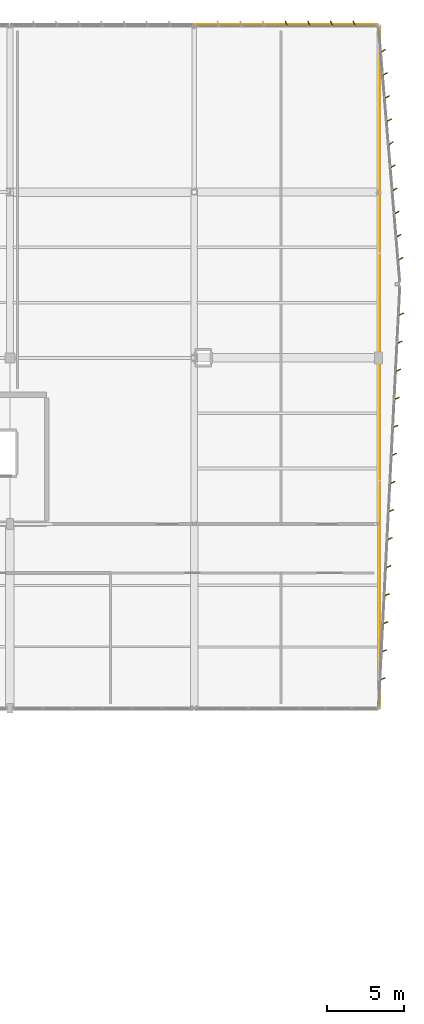
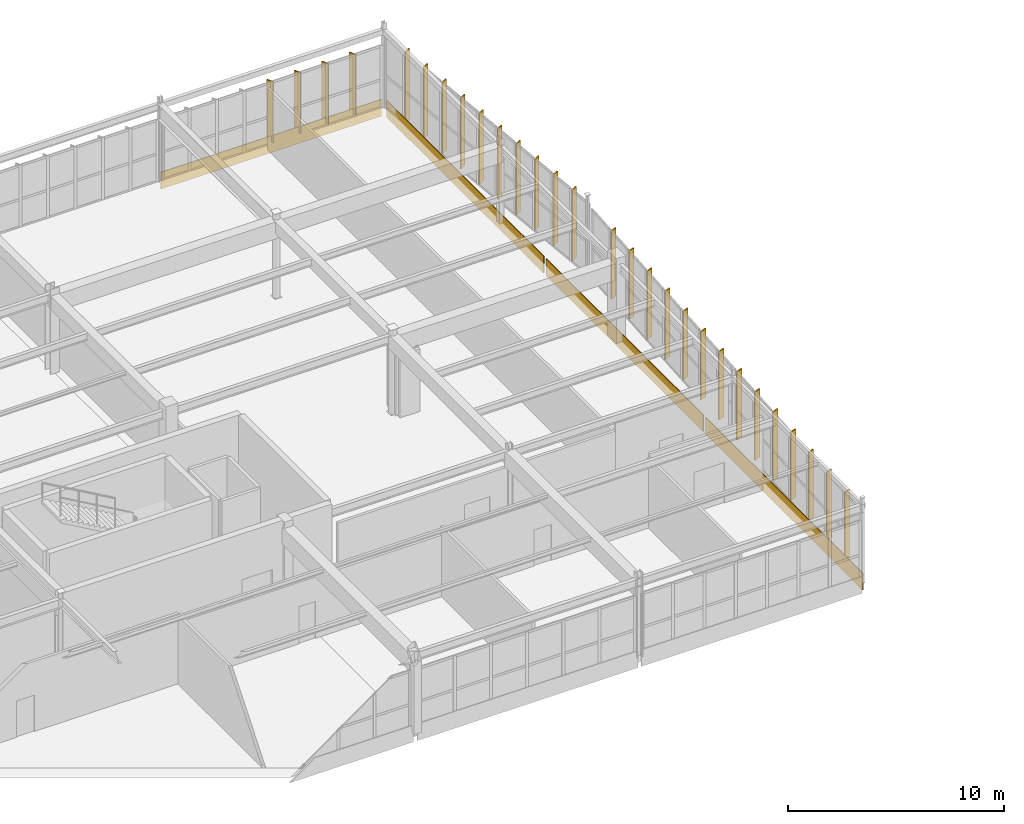
# One storey, part 186 of 186: 28 shading devices, 4 coverings.
"""IFC4 building model written with IfcOpenShell, lengths in metres."""

from ifc_helpers import new_model, si_unit, direction, frame, origin, origin_2d, place, context, subcontext, project, spatial, rectangle, extrude, material, layer, layer_set, type_object, element, save


model = new_model("IFC4")

# Units and contexts
model_context = context("Model", 3, precision=1e-05, world=origin(), true_north=direction((0.0, 1.0)))
body_context = subcontext(model_context, "Body", "Model", "MODEL_VIEW")
ifc_project = project(units=[si_unit("LENGTHUNIT", "METRE"), si_unit("AREAUNIT", "SQUARE_METRE"), si_unit("VOLUMEUNIT", "CUBIC_METRE"), si_unit("PLANEANGLEUNIT", "RADIAN"), si_unit("MASSUNIT", "GRAM", prefix="KILO")], contexts=[model_context])

# Site, building, storey
site_placement = place(None, origin())
site = spatial("IfcSite", under=ifc_project, at=site_placement, CompositionType="ELEMENT")
building_placement = place(site_placement, origin())
building = spatial("IfcBuilding", under=site, at=building_placement, Name="Tarnwether General Hospital", CompositionType="ELEMENT")
storey_placement = place(building_placement, frame((0.0, 0.0, 9.60009765625)))
storey = spatial("IfcBuildingStorey", under=building, at=storey_placement, Name="L02", CompositionType="ELEMENT", Elevation=9.60009765625)

# Coverings
ifc_material_1 = material(Name="Folded zinc-titanium cladding")
ifc_layer_1 = layer(ifc_material_1, 0.0400390625)
ifc_layer_set_1 = layer_set([ifc_layer_1], Name="Folded zinc-titanium cladding")
covering_type = type_object("IfcCoveringType", Name="CV-CLD-ZNC", PredefinedType="CLADDING", material=ifc_layer_set_1)
covering_placement = place(storey_placement, frame((186.0, 126.090087890625, -0.55517578125), z_axis=(0.0, 0.0, 1.0), x_axis=(1.0, 0.0, 0.0)))
element("IfcCovering", 1, at=covering_placement, inside=storey, type_object=covering_type, Name="Deconstructivist Faceted Zinc Spandrel Blade 038", PredefinedType="CLADDING", context=body_context, shape_type="SweptSolid", body=[
    extrude(rectangle(XDim=11.800048828125, YDim=0.0400390625, at=origin_2d()), origin(), (0.0, 0.0, 1.0), 0.949951171875),
])
for number, where, z_axis, x_axis, name in (
    (2, (192.090087890625, 89.0, -0.55517578125), (0.0, 0.0, 1.0), (0.0, 1.0, 0.0), "Deconstructivist East Faceted Zinc Spandrel 042"),
    (3, (192.090087890625, 103.800048828125, -0.55517578125), (0.0, 0.0, 1.0), (0.0, 1.0, 0.0), "Deconstructivist East Faceted Zinc Spandrel 043"),
    (4, (192.090087890625, 118.60009765625, -0.55517578125), (0.0, 0.0, 1.0), (0.0, 1.0, 0.0), "Deconstructivist East Faceted Zinc Spandrel 044"),
):
    element("IfcCovering", number, at=place(storey_placement, frame(where, z_axis=z_axis, x_axis=x_axis)), inside=storey, type_object=covering_type, Name=name, PredefinedType="CLADDING", context=body_context, shape_type="SweptSolid", body=[
        extrude(rectangle(XDim=14.60009765625, YDim=0.0400390625, at=origin_2d()), origin(), (0.0, 0.0, 1.0), 0.949951171875),
    ])

# Shading devices
ifc_material_2 = material(Name="Champagne-bronze anodised aluminium", Category="aluminium")
ifc_layer_2 = layer(ifc_material_2, 0.06005859375)
ifc_layer_set_2 = layer_set([ifc_layer_2], Name="Champagne-bronze anodised aluminium")
shading_device_type = type_object("IfcShadingDeviceType", Name="SH-FIN-BRZ", PredefinedType="USERDEFINED", material=ifc_layer_set_2)
for number, where, z_axis, x_axis, name in (
    (5, (186.0, 126.159912109375, 0.0498046875), (0.0, 0.0, 1.0), (0.906307787037, 0.422618261741, 0.0), "Champagne-Bronze Brise-Soleil Fin 0516"),
    (6, (187.471923828125, 126.159912109375, 0.0498046875), (0.0, 0.0, 1.0), (0.906307787037, 0.422618261741, 0.0), "Champagne-Bronze Brise-Soleil Fin 0517"),
    (7, (188.945068359375, 126.159912109375, 0.0498046875), (0.0, 0.0, 1.0), (0.906307787037, 0.422618261741, 0.0), "Champagne-Bronze Brise-Soleil Fin 0518"),
    (8, (190.4169921875, 126.159912109375, 0.0498046875), (0.0, 0.0, 1.0), (0.906307787037, 0.422618261741, 0.0), "Champagne-Bronze Brise-Soleil Fin 0519"),
):
    element("IfcShadingDevice", number, at=place(storey_placement, frame(where, z_axis=z_axis, x_axis=x_axis)), inside=storey, type_object=shading_device_type, Name=name, ObjectType="SOLAR FIN", PredefinedType="USERDEFINED", context=body_context, shape_type="SweptSolid", body=[
        extrude(rectangle(XDim=0.06005859375, YDim=0.360107421875, at=origin_2d()), origin(), (0.0, 0.0, 1.0), 3.425048828125),
    ])
for number, where, z_axis, x_axis, name in (
    (9, (192.294921875, 124.387939453125, 0.050048828125), (0.0, 0.0, 1.0), (0.496368025395, -0.868112195148, 0.0), "Champagne-Bronze Brise-Soleil Fin 0520"),
    (10, (192.419921875, 122.883056640625, 0.050048828125), (0.0, 0.0, 1.0), (0.496368025395, -0.868112195148, 0.0), "Champagne-Bronze Brise-Soleil Fin 0521"),
    (11, (192.5458984375, 121.37890625, 0.050048828125), (0.0, 0.0, 1.0), (0.496368025395, -0.868112195148, 0.0), "Champagne-Bronze Brise-Soleil Fin 0522"),
    (12, (192.6708984375, 119.8740234375, 0.050048828125), (0.0, 0.0, 1.0), (0.496368025395, -0.868112195148, 0.0), "Champagne-Bronze Brise-Soleil Fin 0523"),
    (13, (192.7958984375, 118.3701171875, 0.050048828125), (0.0, 0.0, 1.0), (0.496368025395, -0.868112195148, 0.0), "Champagne-Bronze Brise-Soleil Fin 0524"),
    (14, (192.922119140625, 116.864990234375, 0.050048828125), (0.0, 0.0, 1.0), (0.496368025395, -0.868112195148, 0.0), "Champagne-Bronze Brise-Soleil Fin 0525"),
    (15, (193.047119140625, 115.360107421875, 0.050048828125), (0.0, 0.0, 1.0), (0.496368025395, -0.868112195148, 0.0), "Champagne-Bronze Brise-Soleil Fin 0526"),
    (16, (193.173095703125, 113.85595703125, 0.050048828125), (0.0, 0.0, 1.0), (0.496368025395, -0.868112195148, 0.0), "Champagne-Bronze Brise-Soleil Fin 0527"),
    (17, (193.298095703125, 112.35107421875, 0.050048828125), (0.0, 0.0, 1.0), (0.496368025395, -0.868112195148, 0.0), "Champagne-Bronze Brise-Soleil Fin 0528"),
    (18, (193.423095703125, 110.846923828125, 0.050048828125), (0.0, 0.0, 1.0), (0.496368025395, -0.868112195148, 0.0), "Champagne-Bronze Brise-Soleil Fin 0529"),
):
    element("IfcShadingDevice", number, at=place(storey_placement, frame(where, z_axis=z_axis, x_axis=x_axis)), inside=storey, type_object=shading_device_type, Name=name, ObjectType="SOLAR FIN", PredefinedType="USERDEFINED", context=body_context, shape_type="SweptSolid", body=[
        extrude(rectangle(XDim=0.06005859375, YDim=0.360107421875, at=origin_2d()), origin(), (0.0, 0.0, 1.0), 4.02490234375),
    ])
for number, where, z_axis, x_axis, name in (
    (19, (193.4609375, 107.24609375, 0.0498046875), (0.0, 0.0, 1.0), (0.376224263139, -0.926528630872, 0.0), "Champagne-Bronze Brise-Soleil Fin 0530"),
    (20, (193.367919921875, 105.419921875, 0.0498046875), (0.0, 0.0, 1.0), (0.376224263139, -0.926528630872, 0.0), "Champagne-Bronze Brise-Soleil Fin 0531"),
    (21, (193.27587890625, 103.593994140625, 0.0498046875), (0.0, 0.0, 1.0), (0.376224263139, -0.926528630872, 0.0), "Champagne-Bronze Brise-Soleil Fin 0532"),
    (22, (193.18310546875, 101.76708984375, 0.0498046875), (0.0, 0.0, 1.0), (0.376224263139, -0.926528630872, 0.0), "Champagne-Bronze Brise-Soleil Fin 0533"),
    (23, (193.091064453125, 99.94091796875, 0.0498046875), (0.0, 0.0, 1.0), (0.376224263139, -0.926528630872, 0.0), "Champagne-Bronze Brise-Soleil Fin 0534"),
    (24, (192.998046875, 98.114990234375, 0.0498046875), (0.0, 0.0, 1.0), (0.376224263139, -0.926528630872, 0.0), "Champagne-Bronze Brise-Soleil Fin 0535"),
    (25, (192.905029296875, 96.2890625, 0.0498046875), (0.0, 0.0, 1.0), (0.376224263139, -0.926528630872, 0.0), "Champagne-Bronze Brise-Soleil Fin 0536"),
    (26, (192.81298828125, 94.4619140625, 0.0498046875), (0.0, 0.0, 1.0), (0.376224263139, -0.926528630872, 0.0), "Champagne-Bronze Brise-Soleil Fin 0537"),
    (27, (192.719970703125, 92.635986328125, 0.0498046875), (0.0, 0.0, 1.0), (0.376224263139, -0.926528630872, 0.0), "Champagne-Bronze Brise-Soleil Fin 0538"),
    (28, (192.626953125, 90.81005859375, 0.0498046875), (0.0, 0.0, 1.0), (0.376224263139, -0.926528630872, 0.0), "Champagne-Bronze Brise-Soleil Fin 0539"),
    (29, (192.534912109375, 88.98291015625, 0.0498046875), (0.0, 0.0, 1.0), (0.376224263139, -0.926528630872, 0.0), "Champagne-Bronze Brise-Soleil Fin 0540"),
    (30, (192.44189453125, 87.156982421875, 0.0498046875), (0.0, 0.0, 1.0), (0.376224263139, -0.926528630872, 0.0), "Champagne-Bronze Brise-Soleil Fin 0541"),
    (31, (192.34912109375, 85.3310546875, 0.0498046875), (0.0, 0.0, 1.0), (0.376224263139, -0.926528630872, 0.0), "Champagne-Bronze Brise-Soleil Fin 0542"),
    (32, (192.257080078125, 83.5048828125, 0.0498046875), (0.0, 0.0, 1.0), (0.376224263139, -0.926528630872, 0.0), "Champagne-Bronze Brise-Soleil Fin 0543"),
):
    element("IfcShadingDevice", number, at=place(storey_placement, frame(where, z_axis=z_axis, x_axis=x_axis)), inside=storey, type_object=shading_device_type, Name=name, ObjectType="SOLAR FIN", PredefinedType="USERDEFINED", context=body_context, shape_type="SweptSolid", body=[
        extrude(rectangle(XDim=0.06005859375, YDim=0.360107421875, at=origin_2d()), origin(), (0.0, 0.0, 1.0), 3.867919921875),
    ])

save(model, "model.ifc")
